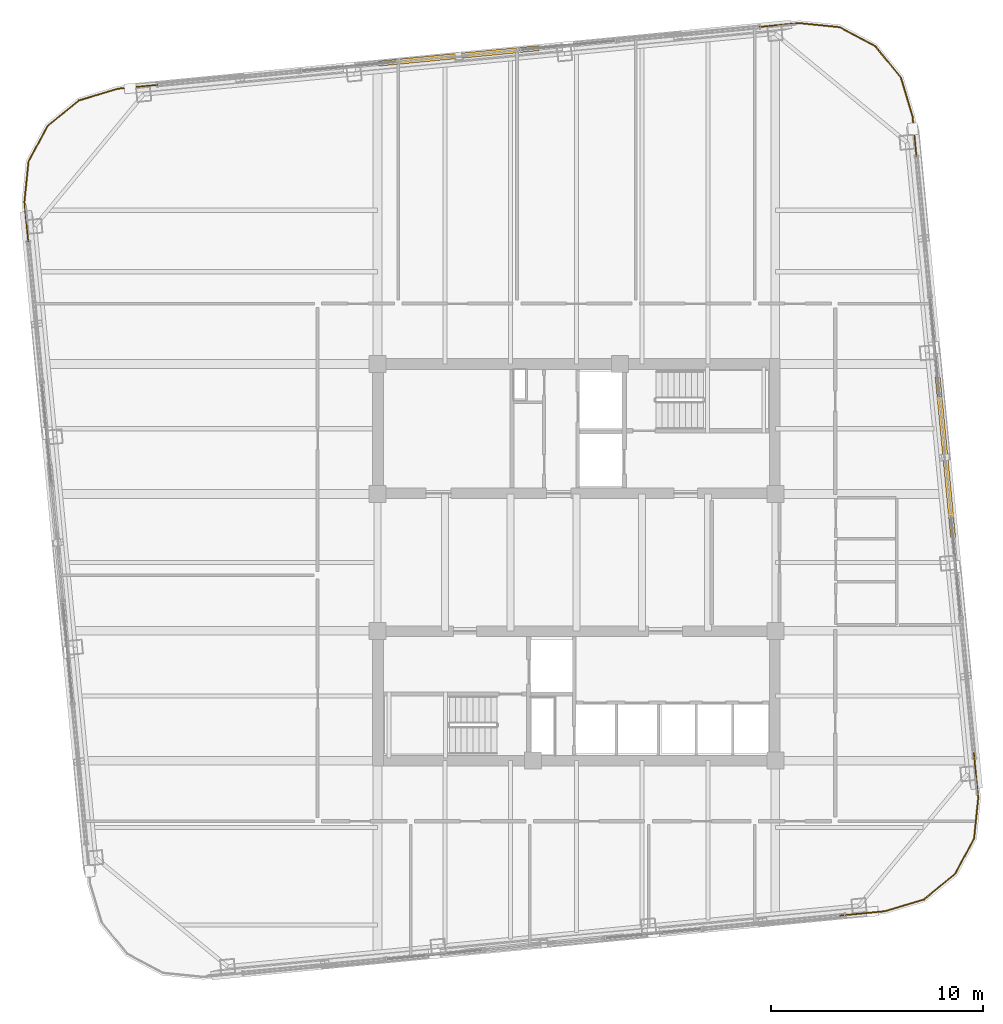
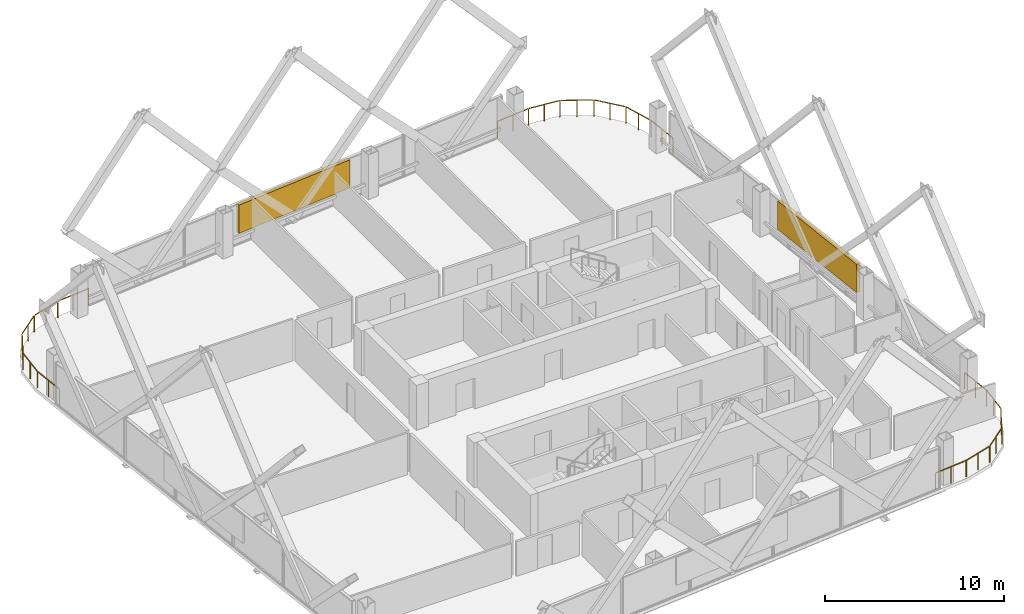
# One storey, part 34 of 34: 4 railings, 2 shading devices.
"""IFC4 building model written with IfcOpenShell, lengths in metres."""

from ifc_helpers import new_model, si_unit, direction, frame, origin, origin_2d, place, context, subcontext, project, spatial, rectangle, extrude, material, type_object, element, save


model = new_model("IFC4")

# Units and contexts
model_context = context("Model", 3, precision=1e-05, world=origin(), true_north=direction((0.0, 1.0)))
body_context = subcontext(model_context, "Body", "Model", "MODEL_VIEW")
ifc_project = project(units=[si_unit("LENGTHUNIT", "METRE"), si_unit("AREAUNIT", "SQUARE_METRE"), si_unit("VOLUMEUNIT", "CUBIC_METRE"), si_unit("PLANEANGLEUNIT", "RADIAN"), si_unit("MASSUNIT", "GRAM", prefix="KILO")], contexts=[model_context])

# Site, building, storey
site_placement = place(None, origin())
site = spatial("IfcSite", under=ifc_project, at=site_placement, CompositionType="ELEMENT")
building_placement = place(site_placement, origin())
building = spatial("IfcBuilding", under=site, at=building_placement, Name="Qhalaya Broadcast Tower", CompositionType="ELEMENT")
storey_placement = place(building_placement, frame((0.0, 0.0, 168.35009765625)))
storey = spatial("IfcBuildingStorey", under=building, at=storey_placement, Name="L49", CompositionType="ELEMENT", Elevation=168.35009765625)

# Railings
ifc_material_1 = material(Name="Powder-Coated Galvanised Steel", Category="steel")
railing_type = type_object("IfcRailingType", Name="Terrace, Sky-Pool & Lookout Glass Balustrade 1150", PredefinedType="BALUSTRADE", material=ifc_material_1)
railing_1_placement = place(storey_placement, frame((14.53955078125, -15.846435546875, 0.0)))
element("IfcRailing", 1, at=railing_1_placement, inside=storey, type_object=railing_type, Name="L49 Rounded Corner Perimeter Guard 01", PredefinedType="BALUSTRADE", context=body_context, shape_type="SweptSolid", body=[
    extrude(rectangle(XDim=0.048095703125, YDim=0.048095703125, at=origin_2d()), frame((0.0, 0.0, 1.1259765625), z_axis=(-0.995402268864, -0.095782687057, 0.0), x_axis=(0.095782687057, -0.995402268864, 0.0)), (0.0, 0.0, 1.0), 2.1181640625),
    extrude(rectangle(XDim=0.0419921875, YDim=0.0419921875, at=origin_2d()), origin(), (0.0, 0.0, 1.0), 1.099853515625),
    extrude(rectangle(XDim=0.0419921875, YDim=0.0419921875, at=origin_2d()), frame((-1.05419921875, -0.1015625, 0.0)), (0.0, 0.0, 1.0), 1.099853515625),
    extrude(rectangle(XDim=0.0419921875, YDim=0.0419921875, at=origin_2d()), frame((-2.1083984375, -0.202880859375, 0.0)), (0.0, 0.0, 1.0), 1.099853515625),
])
railing_2_placement = place(storey_placement, frame((-25.81689453125, 15.479736328125, 0.0)))
element("IfcRailing", 2, at=railing_2_placement, inside=storey, type_object=railing_type, Name="L49 Rounded Corner Perimeter Guard 03", PredefinedType="BALUSTRADE", context=body_context, shape_type="SweptSolid", body=[
    extrude(rectangle(XDim=0.048095703125, YDim=0.048095703125, at=origin_2d()), frame((0.0, 0.0, 1.1259765625), z_axis=(-0.095896889673, 0.995391273094, 0.0), x_axis=(-0.995391273094, -0.095896889673, 0.0)), (0.0, 0.0, 1.0), 2.08935546875),
    extrude(rectangle(XDim=0.048095703125, YDim=0.048095703125, at=origin_2d()), frame((-0.2001953125, 2.13720703125, 1.1259765625), z_axis=(0.100185175984, 0.994968808814, 0.0), x_axis=(-0.994968808814, 0.100185175984, 0.0)), (0.0, 0.0, 1.0), 1.857666015625),
    extrude(rectangle(XDim=0.048095703125, YDim=0.048095703125, at=origin_2d()), frame((0.00244140625, 4.03955078125, 1.1259765625), z_axis=(0.473342342286, 0.880878554058, 0.0), x_axis=(-0.880878554058, 0.473342342286, 0.0)), (0.0, 0.0, 1.0), 1.845458984375),
    extrude(rectangle(XDim=0.048095703125, YDim=0.048095703125, at=origin_2d()), frame((0.912109375, 5.708984375, 1.1259765625), z_axis=(0.774368685352, 0.632734651451, 0.0), x_axis=(-0.632734651451, 0.774368685352, 0.0)), (0.0, 0.0, 1.0), 1.84521484375),
    extrude(rectangle(XDim=0.048095703125, YDim=0.048095703125, at=origin_2d()), frame((2.390869140625, 6.903076171875, 1.1259765625), z_axis=(0.957576860039, 0.288177995547, 0.0), x_axis=(-0.288177995547, 0.957576860039, 0.0)), (0.0, 0.0, 1.0), 1.857666015625),
    extrude(rectangle(XDim=0.048095703125, YDim=0.048095703125, at=origin_2d()), frame((4.226318359375, 7.449462890625, 1.1259765625), z_axis=(0.995402268864, 0.095782687057, 0.0), x_axis=(-0.095782687057, 0.995402268864, 0.0)), (0.0, 0.0, 1.0), 2.08935546875),
    extrude(rectangle(XDim=0.0419921875, YDim=0.0419921875, at=origin_2d()), origin(), (0.0, 0.0, 1.0), 1.099853515625),
    extrude(rectangle(XDim=0.0419921875, YDim=0.0419921875, at=origin_2d()), frame((-0.1015625, 1.05419921875, 0.0)), (0.0, 0.0, 1.0), 1.099853515625),
    extrude(rectangle(XDim=0.0419921875, YDim=0.0419921875, at=origin_2d()), frame((-0.203125, 2.1083984375, 0.0)), (0.0, 0.0, 1.0), 1.099853515625),
    extrude(rectangle(XDim=0.0419921875, YDim=0.0419921875, at=origin_2d()), frame((-0.107177734375, 3.061279296875, 0.0)), (0.0, 0.0, 1.0), 1.099853515625),
    extrude(rectangle(XDim=0.0419921875, YDim=0.0419921875, at=origin_2d()), frame((-0.01123046875, 4.01416015625, 0.0)), (0.0, 0.0, 1.0), 1.099853515625),
    extrude(rectangle(XDim=0.0419921875, YDim=0.0419921875, at=origin_2d()), frame((0.439208984375, 4.8525390625, 0.0)), (0.0, 0.0, 1.0), 1.099853515625),
    extrude(rectangle(XDim=0.0419921875, YDim=0.0419921875, at=origin_2d()), frame((0.8896484375, 5.690673828125, 0.0)), (0.0, 0.0, 1.0), 1.099853515625),
    extrude(rectangle(XDim=0.0419921875, YDim=0.0419921875, at=origin_2d()), frame((1.62646484375, 6.292724609375, 0.0)), (0.0, 0.0, 1.0), 1.099853515625),
    extrude(rectangle(XDim=0.0419921875, YDim=0.0419921875, at=origin_2d()), frame((2.36328125, 6.894775390625, 0.0)), (0.0, 0.0, 1.0), 1.099853515625),
    extrude(rectangle(XDim=0.0419921875, YDim=0.0419921875, at=origin_2d()), frame((3.2802734375, 7.1708984375, 0.0)), (0.0, 0.0, 1.0), 1.099853515625),
    extrude(rectangle(XDim=0.0419921875, YDim=0.0419921875, at=origin_2d()), frame((4.197509765625, 7.44677734375, 0.0)), (0.0, 0.0, 1.0), 1.099853515625),
    extrude(rectangle(XDim=0.0419921875, YDim=0.0419921875, at=origin_2d()), frame((5.251708984375, 7.54833984375, 0.0)), (0.0, 0.0, 1.0), 1.099853515625),
    extrude(rectangle(XDim=0.0419921875, YDim=0.0419921875, at=origin_2d()), frame((6.305908203125, 7.649658203125, 0.0)), (0.0, 0.0, 1.0), 1.099853515625),
])
railing_3_placement = place(storey_placement, frame((8.39990234375, 25.81689453125, 0.0)))
element("IfcRailing", 3, at=railing_3_placement, inside=storey, type_object=railing_type, Name="L49 Rounded Corner Perimeter Guard 04", PredefinedType="BALUSTRADE", context=body_context, shape_type="SweptSolid", body=[
    extrude(rectangle(XDim=0.048095703125, YDim=0.048095703125, at=origin_2d()), frame((0.0, 0.0, 1.1259765625), z_axis=(0.995391273094, 0.095896889673, 0.0), x_axis=(-0.095896889673, 0.995391273094, 0.0)), (0.0, 0.0, 1.0), 2.08935546875),
    extrude(rectangle(XDim=0.048095703125, YDim=0.048095703125, at=origin_2d()), frame((2.13720703125, 0.2001953125, 1.1259765625), z_axis=(0.994967529225, -0.100197883148, 0.0), x_axis=(0.100197883148, 0.994967529225, 0.0)), (0.0, 0.0, 1.0), 1.857421875),
    extrude(rectangle(XDim=0.048095703125, YDim=0.048095703125, at=origin_2d()), frame((4.039306640625, -0.00244140625, 1.1259765625), z_axis=(0.880878554058, -0.473342342286, 0.0), x_axis=(0.473342342286, 0.880878554058, 0.0)), (0.0, 0.0, 1.0), 1.845458984375),
    extrude(rectangle(XDim=0.048095703125, YDim=0.048095703125, at=origin_2d()), frame((5.708740234375, -0.912109375, 1.1259765625), z_axis=(0.632734651451, -0.774368685352, 0.0), x_axis=(0.774368685352, 0.632734651451, 0.0)), (0.0, 0.0, 1.0), 1.84521484375),
    extrude(rectangle(XDim=0.048095703125, YDim=0.048095703125, at=origin_2d()), frame((6.90283203125, -2.390869140625, 1.1259765625), z_axis=(0.288177995547, -0.957576860039, 0.0), x_axis=(0.957576860039, 0.288177995547, 0.0)), (0.0, 0.0, 1.0), 1.857666015625),
    extrude(rectangle(XDim=0.048095703125, YDim=0.048095703125, at=origin_2d()), frame((7.44921875, -4.226318359375, 1.1259765625), z_axis=(0.095782687057, -0.995402268864, 0.0), x_axis=(0.995402268864, 0.095782687057, 0.0)), (0.0, 0.0, 1.0), 2.08935546875),
    extrude(rectangle(XDim=0.0419921875, YDim=0.0419921875, at=origin_2d()), origin(), (0.0, 0.0, 1.0), 1.099853515625),
    extrude(rectangle(XDim=0.0419921875, YDim=0.0419921875, at=origin_2d()), frame((1.05419921875, 0.1015625, 0.0)), (0.0, 0.0, 1.0), 1.099853515625),
    extrude(rectangle(XDim=0.0419921875, YDim=0.0419921875, at=origin_2d()), frame((2.1083984375, 0.203125, 0.0)), (0.0, 0.0, 1.0), 1.099853515625),
    extrude(rectangle(XDim=0.0419921875, YDim=0.0419921875, at=origin_2d()), frame((3.06103515625, 0.107177734375, 0.0)), (0.0, 0.0, 1.0), 1.099853515625),
    extrude(rectangle(XDim=0.0419921875, YDim=0.0419921875, at=origin_2d()), frame((4.013916015625, 0.01123046875, 0.0)), (0.0, 0.0, 1.0), 1.099853515625),
    extrude(rectangle(XDim=0.0419921875, YDim=0.0419921875, at=origin_2d()), frame((4.85205078125, -0.439208984375, 0.0)), (0.0, 0.0, 1.0), 1.099853515625),
    extrude(rectangle(XDim=0.0419921875, YDim=0.0419921875, at=origin_2d()), frame((5.6904296875, -0.8896484375, 0.0)), (0.0, 0.0, 1.0), 1.099853515625),
    extrude(rectangle(XDim=0.0419921875, YDim=0.0419921875, at=origin_2d()), frame((6.29248046875, -1.62646484375, 0.0)), (0.0, 0.0, 1.0), 1.099853515625),
    extrude(rectangle(XDim=0.0419921875, YDim=0.0419921875, at=origin_2d()), frame((6.89453125, -2.36328125, 0.0)), (0.0, 0.0, 1.0), 1.099853515625),
    extrude(rectangle(XDim=0.0419921875, YDim=0.0419921875, at=origin_2d()), frame((7.17041015625, -3.2802734375, 0.0)), (0.0, 0.0, 1.0), 1.099853515625),
    extrude(rectangle(XDim=0.0419921875, YDim=0.0419921875, at=origin_2d()), frame((7.446533203125, -4.197509765625, 0.0)), (0.0, 0.0, 1.0), 1.099853515625),
    extrude(rectangle(XDim=0.0419921875, YDim=0.0419921875, at=origin_2d()), frame((7.5478515625, -5.251708984375, 0.0)), (0.0, 0.0, 1.0), 1.099853515625),
    extrude(rectangle(XDim=0.0419921875, YDim=0.0419921875, at=origin_2d()), frame((7.6494140625, -6.305908203125, 0.0)), (0.0, 0.0, 1.0), 1.099853515625),
])
railing_4_placement = place(storey_placement, frame((18.73681640625, -8.39990234375, 0.0)))
element("IfcRailing", 4, at=railing_4_placement, inside=storey, type_object=railing_type, Name="L49 Rounded Corner Perimeter Guard 05", PredefinedType="BALUSTRADE", context=body_context, shape_type="SweptSolid", body=[
    extrude(rectangle(XDim=0.048095703125, YDim=0.048095703125, at=origin_2d()), frame((0.0, 0.0, 1.1259765625), z_axis=(0.095896889673, -0.995391273094, 0.0), x_axis=(0.995391273094, 0.095896889673, 0.0)), (0.0, 0.0, 1.0), 2.08935546875),
    extrude(rectangle(XDim=0.048095703125, YDim=0.048095703125, at=origin_2d()), frame((0.2001953125, -2.13720703125, 1.1259765625), z_axis=(-0.100197883148, -0.994967529225, 0.0), x_axis=(0.994967529225, -0.100197883148, 0.0)), (0.0, 0.0, 1.0), 1.857421875),
    extrude(rectangle(XDim=0.048095703125, YDim=0.048095703125, at=origin_2d()), frame((-0.00244140625, -4.039306640625, 1.1259765625), z_axis=(-0.473242797018, -0.880932037714, 0.0), x_axis=(0.880932037714, -0.473242797018, 0.0)), (0.0, 0.0, 1.0), 1.845458984375),
    extrude(rectangle(XDim=0.048095703125, YDim=0.048095703125, at=origin_2d()), frame((-0.911865234375, -5.708740234375, 1.1259765625), z_axis=(-0.774420039683, -0.632671796541, 0.0), x_axis=(0.632671796541, -0.774420039683, 0.0)), (0.0, 0.0, 1.0), 1.845458984375),
    extrude(rectangle(XDim=0.048095703125, YDim=0.048095703125, at=origin_2d()), frame((-2.390869140625, -6.90283203125, 1.1259765625), z_axis=(-0.95756627332, -0.288213171456, 0.0), x_axis=(0.288213171456, -0.95756627332, 0.0)), (0.0, 0.0, 1.0), 1.886474609375),
    extrude(rectangle(XDim=0.0419921875, YDim=0.0419921875, at=origin_2d()), origin(), (0.0, 0.0, 1.0), 1.099853515625),
    extrude(rectangle(XDim=0.0419921875, YDim=0.0419921875, at=origin_2d()), frame((0.1015625, -1.05419921875, 0.0)), (0.0, 0.0, 1.0), 1.099853515625),
    extrude(rectangle(XDim=0.0419921875, YDim=0.0419921875, at=origin_2d()), frame((0.203125, -2.1083984375, 0.0)), (0.0, 0.0, 1.0), 1.099853515625),
    extrude(rectangle(XDim=0.0419921875, YDim=0.0419921875, at=origin_2d()), frame((0.107177734375, -3.06103515625, 0.0)), (0.0, 0.0, 1.0), 1.099853515625),
    extrude(rectangle(XDim=0.0419921875, YDim=0.0419921875, at=origin_2d()), frame((0.01123046875, -4.013916015625, 0.0)), (0.0, 0.0, 1.0), 1.099853515625),
    extrude(rectangle(XDim=0.0419921875, YDim=0.0419921875, at=origin_2d()), frame((-0.43896484375, -4.85205078125, 0.0)), (0.0, 0.0, 1.0), 1.099853515625),
    extrude(rectangle(XDim=0.0419921875, YDim=0.0419921875, at=origin_2d()), frame((-0.889404296875, -5.6904296875, 0.0)), (0.0, 0.0, 1.0), 1.099853515625),
    extrude(rectangle(XDim=0.0419921875, YDim=0.0419921875, at=origin_2d()), frame((-1.62646484375, -6.29248046875, 0.0)), (0.0, 0.0, 1.0), 1.099853515625),
    extrude(rectangle(XDim=0.0419921875, YDim=0.0419921875, at=origin_2d()), frame((-2.36328125, -6.89453125, 0.0)), (0.0, 0.0, 1.0), 1.099853515625),
    extrude(rectangle(XDim=0.0419921875, YDim=0.0419921875, at=origin_2d()), frame((-3.2802734375, -7.17041015625, 0.0)), (0.0, 0.0, 1.0), 1.099853515625),
    extrude(rectangle(XDim=0.0419921875, YDim=0.0419921875, at=origin_2d()), frame((-4.197265625, -7.446533203125, 0.0)), (0.0, 0.0, 1.0), 1.099853515625),
])

# Shading devices
ifc_material_2 = material(Name="Fired Architectural Terracotta", Category="masonry")
shading_device_type = type_object("IfcShadingDeviceType", Name="Terracotta Baguette Solar Screen Assembly TBS-01", PredefinedType="USERDEFINED", material=ifc_material_2)
for number, where, z_axis, x_axis, name in (
    (5, (17.393310546875, 5.5556640625, 0.79248046875), (0.0, 0.0, 1.0), (-0.09584575252, 0.995396198367, 0.0), "L49 Fired Terracotta Baguette Screen E"),
    (6, (-5.5556640625, 24.47314453125, 0.79248046875), (0.0, 0.0, 1.0), (-0.995396198367, -0.09584575252, 0.0), "L49 Fired Terracotta Baguette Screen N"),
):
    element("IfcShadingDevice", number, at=place(storey_placement, frame(where, z_axis=z_axis, x_axis=x_axis)), inside=storey, type_object=shading_device_type, Name=name, ObjectType="BAGUETTE", PredefinedType="USERDEFINED", context=body_context, shape_type="SweptSolid", body=[
        extrude(rectangle(XDim=7.60009765625, YDim=0.239990234375, at=origin_2d()), origin(), (0.0, 0.0, 1.0), 1.924072265625),
    ])

save(model, "model.ifc")
